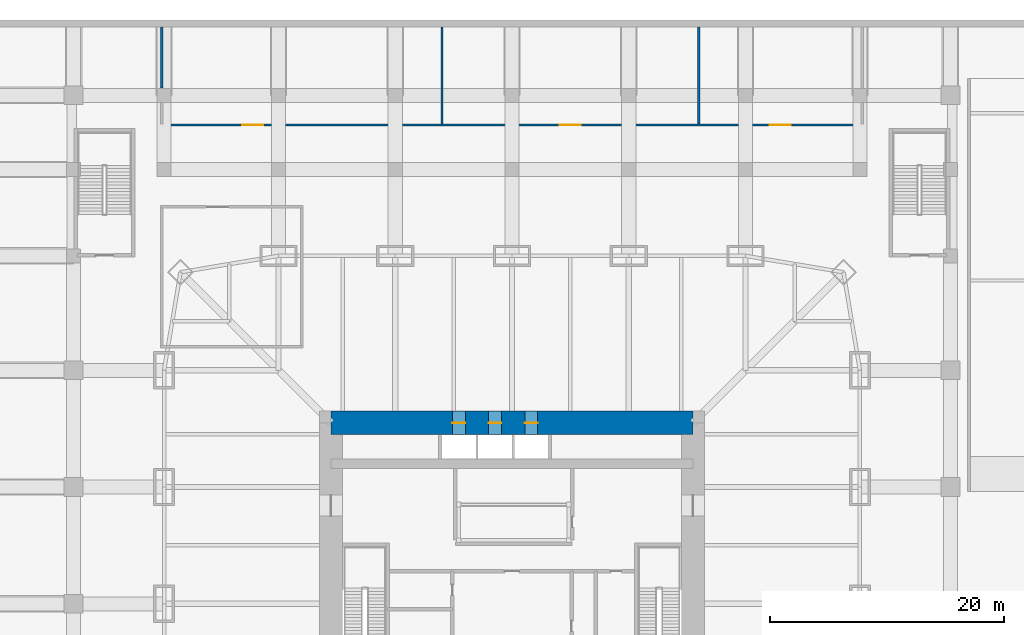
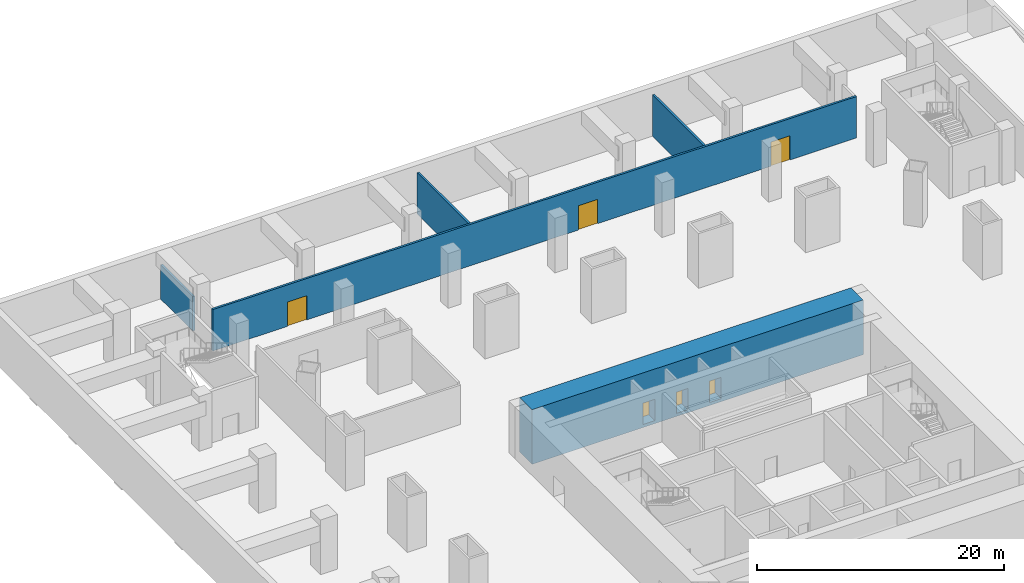
# One storey, part 9 of 12: 6 doors, 5 walls, 6 openings.
"""IFC4 building model written with IfcOpenShell, lengths in metres."""

from ifc_helpers import new_model, si_unit, direction, frame, frame_2d, origin, place, context, subcontext, project, spatial, rectangle, extrude, material, layer, layer_set, type_object, element, fill, save


model = new_model("IFC4")

# Units and contexts
model_context = context("Model", 3, precision=1e-05, world=origin(), true_north=direction((0.0, 1.0)))
body_context = subcontext(model_context, "Body", "Model", "MODEL_VIEW")
ifc_project = project(units=[si_unit("LENGTHUNIT", "METRE"), si_unit("AREAUNIT", "SQUARE_METRE"), si_unit("VOLUMEUNIT", "CUBIC_METRE"), si_unit("PLANEANGLEUNIT", "RADIAN"), si_unit("MASSUNIT", "GRAM", prefix="KILO")], contexts=[model_context])

# Site, building, storey
site_placement = place(None, origin())
site = spatial("IfcSite", under=ifc_project, at=site_placement, CompositionType="ELEMENT")
building_placement = place(site_placement, origin())
building = spatial("IfcBuilding", under=site, at=building_placement, Name="Khuree Lantern Residences", CompositionType="ELEMENT")
storey_placement = place(building_placement, frame((0.0, 0.0, -5.39990234375)))
storey = spatial("IfcBuildingStorey", under=building, at=storey_placement, Name="B1", CompositionType="ELEMENT", Elevation=-5.39990234375)

# Wall, openings, doors
ifc_material_1 = material(Name="Concrete C70/85", Category="concrete")
ifc_layer_1 = layer(ifc_material_1, 2.0)
ifc_layer_set_1 = layer_set([ifc_layer_1], Name="CW2000-C70 CORE WALL C70 2000")
wall_type_1 = type_object("IfcWallType", Name="CW2000-C70 CORE WALL C70 2000", PredefinedType="SHEAR", material=ifc_layer_set_1)
wall_1_placement = place(storey_placement, frame((-15.5, 15.5, -0.300048828125), z_axis=(0.0, 0.0, 1.0), x_axis=(1.0, 0.0, 0.0)))
wall_1 = element("IfcWall", 1, at=wall_1_placement, inside=storey, type_object=wall_type_1, Name="Core wall N", PredefinedType="SHEAR", context=body_context, shape_type="SweptSolid", body=[
    extrude(rectangle(XDim=31.0, YDim=2.0, at=frame_2d((15.5, 0.0))), origin(), (0.0, 0.0, 1.0), 5.39990234375),
])
opening_1_placement = place(wall_1_placement, frame((10.39990234375, 0.0, 0.300048828125)))
opening_1 = element("IfcOpeningElement", 2, at=opening_1_placement, cuts=wall_1, Name="Opening B1-009", PredefinedType="OPENING", context=body_context, shape_type="SweptSolid", body=[
    extrude(rectangle(XDim=1.10009765625, YDim=2.10009765625, at=frame_2d((0.550048828125, 1.050048828125))), frame((0.0, 1.010009765625, 0.0), z_axis=(0.0, -1.0, 0.0), x_axis=(1.0, 0.0, 0.0)), (0.0, 0.0, 1.0), 2.02001953125),
])
opening_2_placement = place(wall_1_placement, frame((13.5, 0.0, 0.300048828125)))
opening_2 = element("IfcOpeningElement", 3, at=opening_2_placement, cuts=wall_1, Name="Opening B1-010", PredefinedType="OPENING", context=body_context, shape_type="SweptSolid", body=[
    extrude(rectangle(XDim=1.10009765625, YDim=2.10009765625, at=frame_2d((0.550048828125, 1.050048828125))), frame((0.0, 1.010009765625, 0.0), z_axis=(0.0, -1.0, 0.0), x_axis=(1.0, 0.0, 0.0)), (0.0, 0.0, 1.0), 2.02001953125),
])
opening_3_placement = place(wall_1_placement, frame((16.60009765625, 0.0, 0.300048828125)))
opening_3 = element("IfcOpeningElement", 4, at=opening_3_placement, cuts=wall_1, Name="Opening B1-011", PredefinedType="OPENING", context=body_context, shape_type="SweptSolid", body=[
    extrude(rectangle(XDim=1.10009765625, YDim=2.10009765625, at=frame_2d((0.550048828125, 1.050048828125))), frame((0.0, 1.010009765625, 0.0), z_axis=(0.0, -1.0, 0.0), x_axis=(1.0, 0.0, 0.0)), (0.0, 0.0, 1.0), 2.02001953125),
])
ifc_material_2 = material(Name="Stainless steel lift landing door", Category="steel")
door_type_1 = type_object("IfcDoorType", Name="LIFT LANDING DOOR 1100X2100 E 60", OperationType="DOUBLE_DOOR_SLIDING", PredefinedType="DOOR", material=ifc_material_2)
door_1_placement = place(opening_1_placement, origin())
door_1 = element("IfcDoor", 5, at=door_1_placement, inside=storey, type_object=door_type_1, Name="Landing door PL1 B1-009", OperationType="DOUBLE_DOOR_SLIDING", OverallHeight=2.10009765625, OverallWidth=1.10009765625, PredefinedType="DOOR", context=body_context, shape_type="SweptSolid", body=[
    extrude(rectangle(XDim=1.10009765625, YDim=2.10009765625, at=frame_2d((0.550048828125, 1.050048828125))), frame((0.0, 0.02490234375, 0.0), z_axis=(0.0, -1.0, 0.0), x_axis=(1.0, 0.0, 0.0)), (0.0, 0.0, 1.0), 0.050048828125),
])
fill(opening_1, door_1)
door_2_placement = place(opening_2_placement, origin())
door_2 = element("IfcDoor", 6, at=door_2_placement, inside=storey, type_object=door_type_1, Name="Landing door PL2 B1-010", OperationType="DOUBLE_DOOR_SLIDING", OverallHeight=2.10009765625, OverallWidth=1.10009765625, PredefinedType="DOOR", context=body_context, shape_type="SweptSolid", body=[
    extrude(rectangle(XDim=1.10009765625, YDim=2.10009765625, at=frame_2d((0.550048828125, 1.050048828125))), frame((0.0, 0.02490234375, 0.0), z_axis=(0.0, -1.0, 0.0), x_axis=(1.0, 0.0, 0.0)), (0.0, 0.0, 1.0), 0.050048828125),
])
fill(opening_2, door_2)
door_3_placement = place(opening_3_placement, origin())
door_3 = element("IfcDoor", 7, at=door_3_placement, inside=storey, type_object=door_type_1, Name="Landing door PL3 B1-011", OperationType="DOUBLE_DOOR_SLIDING", OverallHeight=2.10009765625, OverallWidth=1.10009765625, PredefinedType="DOOR", context=body_context, shape_type="SweptSolid", body=[
    extrude(rectangle(XDim=1.10009765625, YDim=2.10009765625, at=frame_2d((0.550048828125, 1.050048828125))), frame((0.0, 0.02490234375, 0.0), z_axis=(0.0, -1.0, 0.0), x_axis=(1.0, 0.0, 0.0)), (0.0, 0.0, 1.0), 0.050048828125),
])
fill(opening_3, door_3)

ifc_material_3 = material(Name="Dense concrete blockwork", Category="masonry")
ifc_layer_2 = layer(ifc_material_3, 0.199951171875)
ifc_layer_set_2 = layer_set([ifc_layer_2], Name="FIRE-RATED ROOM WALL FRW200 EI 120")
wall_type_2 = type_object("IfcWallType", Name="FIRE-RATED ROOM WALL FRW200 EI 120", PredefinedType="SOLIDWALL", material=ifc_layer_set_2)
wall_2_placement = place(storey_placement, frame((-30.10009765625, 41.0, 0.0), z_axis=(0.0, 0.0, 1.0), x_axis=(1.0, 0.0, 0.0)))
wall_2 = element("IfcWall", 8, at=wall_2_placement, inside=storey, type_object=wall_type_2, Name="B1 ROOM WALL 20", PredefinedType="SOLIDWALL", context=body_context, shape_type="SweptSolid", body=[
    extrude(rectangle(XDim=60.2001953125, YDim=0.199951171875, at=frame_2d((30.10009765625, 0.0))), origin(), (0.0, 0.0, 1.0), 4.099853515625),
])
opening_4_placement = place(wall_2_placement, frame((6.989990234375, 0.0, 0.0)))
opening_4 = element("IfcOpeningElement", 9, at=opening_4_placement, cuts=wall_2, Name="Opening B1-031", PredefinedType="OPENING", context=body_context, shape_type="SweptSolid", body=[
    extrude(rectangle(XDim=1.800048828125, YDim=2.39990234375, at=frame_2d((0.89990234375, 1.199951171875))), frame((0.0, 0.10986328125, 0.0), z_axis=(0.0, -1.0, 0.0), x_axis=(1.0, 0.0, 0.0)), (0.0, 0.0, 1.0), 0.219970703125),
])
opening_5_placement = place(wall_2_placement, frame((34.18994140625, 0.0, 0.0)))
opening_5 = element("IfcOpeningElement", 10, at=opening_5_placement, cuts=wall_2, Name="Opening B1-032", PredefinedType="OPENING", context=body_context, shape_type="SweptSolid", body=[
    extrude(rectangle(XDim=1.800048828125, YDim=2.39990234375, at=frame_2d((0.89990234375, 1.199951171875))), frame((0.0, 0.10986328125, 0.0), z_axis=(0.0, -1.0, 0.0), x_axis=(1.0, 0.0, 0.0)), (0.0, 0.0, 1.0), 0.219970703125),
])
opening_6_placement = place(wall_2_placement, frame((52.18994140625, 0.0, 0.0)))
opening_6 = element("IfcOpeningElement", 11, at=opening_6_placement, cuts=wall_2, Name="Opening B1-033", PredefinedType="OPENING", context=body_context, shape_type="SweptSolid", body=[
    extrude(rectangle(XDim=1.800048828125, YDim=2.39990234375, at=frame_2d((0.89990234375, 1.199951171875))), frame((0.0, 0.10986328125, 0.0), z_axis=(0.0, -1.0, 0.0), x_axis=(1.0, 0.0, 0.0)), (0.0, 0.0, 1.0), 0.219970703125),
])
ifc_material_4 = material(Name="Steel door leaf in steel frame", Category="steel")
door_type_2 = type_object("IfcDoorType", Name="PLANT ROOM DOOR 1800X2400 EI 60", OperationType="DOUBLE_DOOR_SINGLE_SWING", PredefinedType="DOOR", material=ifc_material_4)
door_4_placement = place(opening_4_placement, origin())
door_4 = element("IfcDoor", 12, at=door_4_placement, inside=storey, type_object=door_type_2, Name="Water tank room door B1-031", OperationType="DOUBLE_DOOR_SINGLE_SWING", OverallHeight=2.39990234375, OverallWidth=1.800048828125, PredefinedType="DOOR", context=body_context, shape_type="SweptSolid", body=[
    extrude(rectangle(XDim=1.800048828125, YDim=2.39990234375, at=frame_2d((0.89990234375, 1.199951171875))), frame((0.0, 0.02490234375, 0.0), z_axis=(0.0, -1.0, 0.0), x_axis=(1.0, 0.0, 0.0)), (0.0, 0.0, 1.0), 0.050048828125),
])
fill(opening_4, door_4)
door_5_placement = place(opening_5_placement, origin())
door_5 = element("IfcDoor", 13, at=door_5_placement, inside=storey, type_object=door_type_2, Name="Chilled water plant room door B1-032", OperationType="DOUBLE_DOOR_SINGLE_SWING", OverallHeight=2.39990234375, OverallWidth=1.800048828125, PredefinedType="DOOR", context=body_context, shape_type="SweptSolid", body=[
    extrude(rectangle(XDim=1.800048828125, YDim=2.39990234375, at=frame_2d((0.89990234375, 1.199951171875))), frame((0.0, 0.02490234375, 0.0), z_axis=(0.0, -1.0, 0.0), x_axis=(1.0, 0.0, 0.0)), (0.0, 0.0, 1.0), 0.050048828125),
])
fill(opening_5, door_5)
door_6_placement = place(opening_6_placement, origin())
door_6 = element("IfcDoor", 14, at=door_6_placement, inside=storey, type_object=door_type_2, Name="Fire water tank room door B1-033", OperationType="DOUBLE_DOOR_SINGLE_SWING", OverallHeight=2.39990234375, OverallWidth=1.800048828125, PredefinedType="DOOR", context=body_context, shape_type="SweptSolid", body=[
    extrude(rectangle(XDim=1.800048828125, YDim=2.39990234375, at=frame_2d((0.89990234375, 1.199951171875))), frame((0.0, 0.02490234375, 0.0), z_axis=(0.0, -1.0, 0.0), x_axis=(1.0, 0.0, 0.0)), (0.0, 0.0, 1.0), 0.050048828125),
])
fill(opening_6, door_6)

# Walls
for number, where, z_axis, x_axis, name in (
    (15, (-6.0, 41.10009765625, 0.0), (0.0, 0.0, 1.0), (0.0, 1.0, 0.0), "B1 ROOM WALL 22"),
    (16, (16.0, 41.10009765625, 0.0), (0.0, 0.0, 1.0), (0.0, 1.0, 0.0), "B1 ROOM WALL 23"),
):
    element("IfcWall", number, at=place(storey_placement, frame(where, z_axis=z_axis, x_axis=x_axis)), inside=storey, type_object=wall_type_2, Name=name, PredefinedType="SOLIDWALL", context=body_context, shape_type="SweptSolid", body=[
        extrude(rectangle(XDim=8.27978515625, YDim=0.199951171875, at=frame_2d((4.139892578125, 0.0))), origin(), (0.0, 0.0, 1.0), 4.099853515625),
    ])
wall_3_placement = place(storey_placement, frame((-30.0, 44.18017578125, 0.0), z_axis=(0.0, 0.0, 1.0), x_axis=(0.0, 1.0, 0.0)))
element("IfcWall", 17, at=wall_3_placement, inside=storey, type_object=wall_type_2, Name="B1 ROOM WALL 25", PredefinedType="SOLIDWALL", context=body_context, shape_type="SweptSolid", body=[
    extrude(rectangle(XDim=5.19970703125, YDim=0.199951171875, at=frame_2d((2.599853515625, 0.0))), origin(), (0.0, 0.0, 1.0), 3.39990234375),
])

save(model, "model.ifc")
